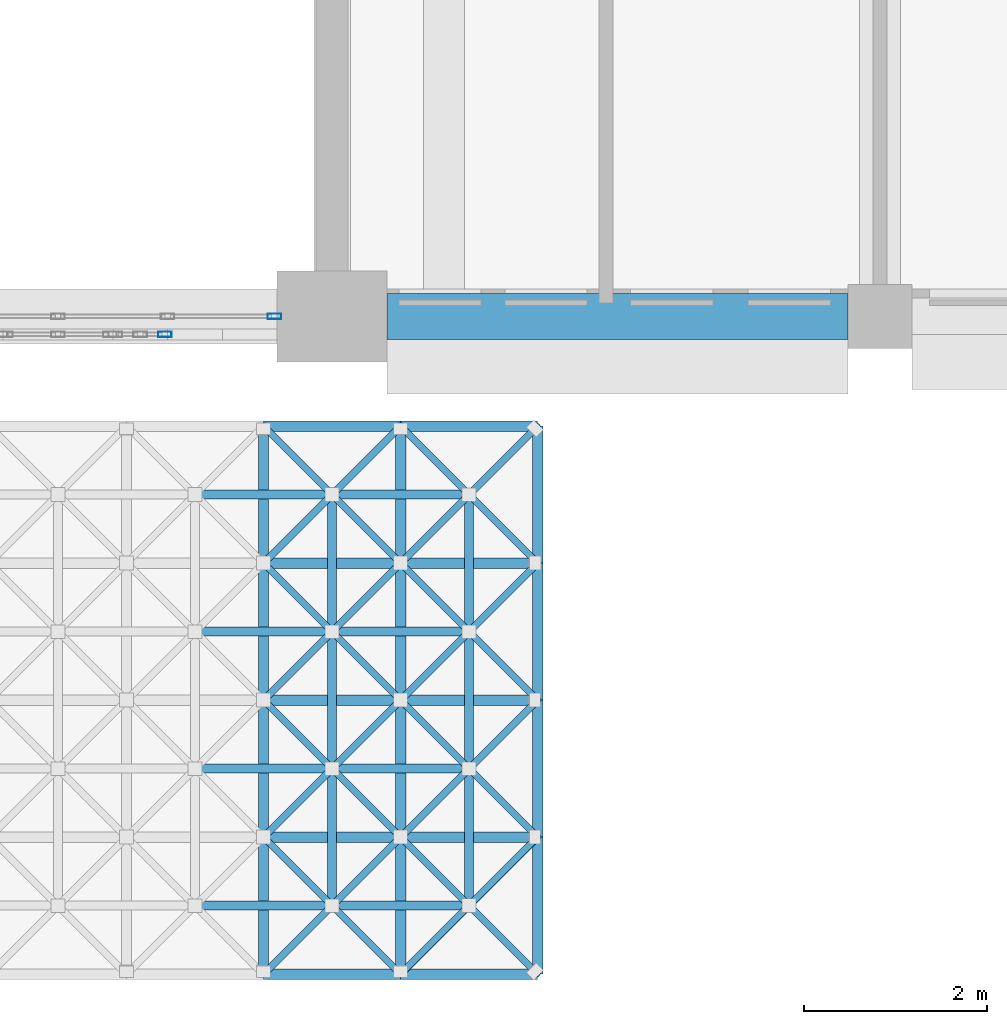
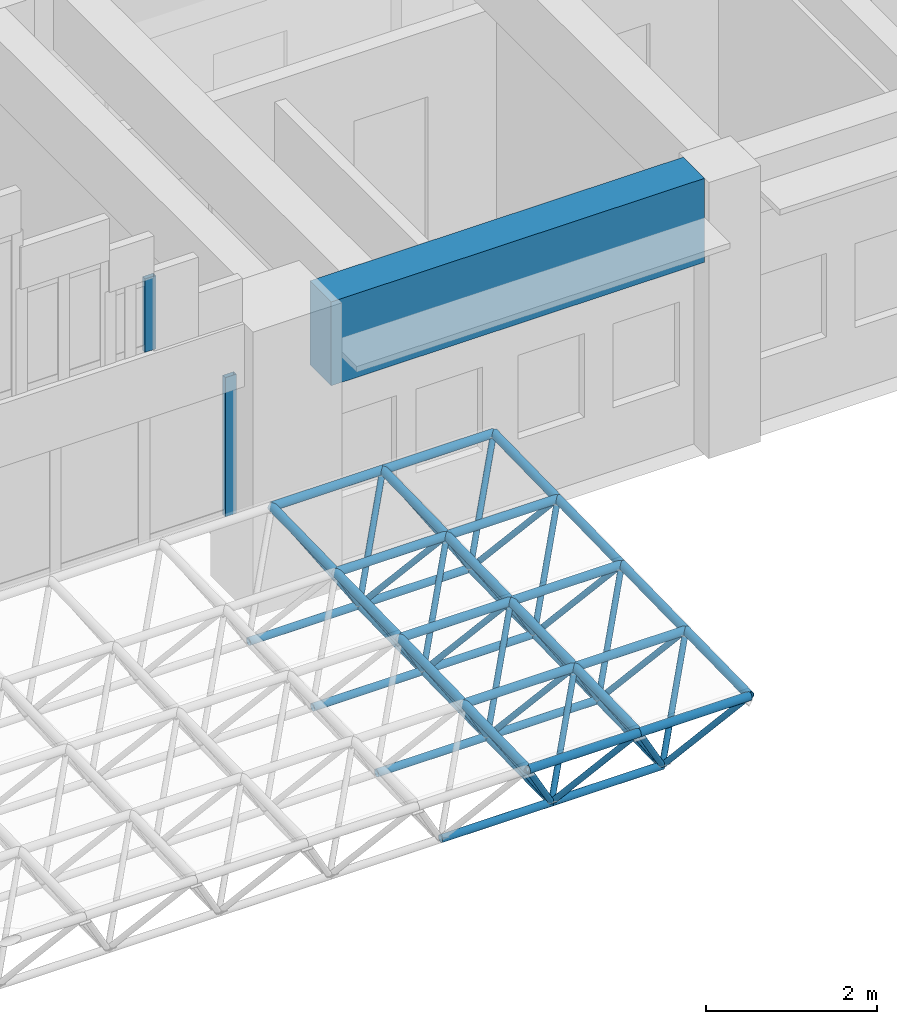
# One storey, part 19 of 103: 70 members, 1 beam, 2 elements without a shape of their own.
"""IFC4 building model written with IfcOpenShell, lengths in metres."""

import ifcopenshell
import ifcopenshell.guid

model = None  # the IFC model being written
_history = None  # IfcOwnerHistory: only IFC2X3 demands one
_inside = {}  # id of a spatial element -> (the spatial element, [elements in it])
_under = {}  # id of a project, library or spatial element -> (it, [spatial elements below it])
_declared = {}  # id of a project -> (the project, [libraries it declares])
_typed = {}  # id of a type object -> (the type object, [elements of that type])
_made_of = {}  # id of a material, layer set ... -> (it, [elements and type objects made of it])


def new_model(schema):
    """Start an empty IFC model of exactly this schema.

    Asked for "IFC4X3", IfcOpenShell would pick the latest addendum, in which some entities
    have other attributes; the version numbers below select the first issue.
    IFC2X3 requires an IfcOwnerHistory on every rooted entity: one is made here for all.
    """
    global model, _history
    if schema == "IFC4X3":
        model = ifcopenshell.file(schema_version=(4, 3, 0, 0))
    else:
        model = ifcopenshell.file(schema=schema)
    _inside.clear()
    _under.clear()
    _declared.clear()
    _typed.clear()
    _made_of.clear()
    _history = None
    if model.schema == "IFC2X3":
        org = make("IfcOrganization", Name="unknown")
        user = make(
            "IfcPersonAndOrganization",
            ThePerson=make("IfcPerson", FamilyName="unknown"),
            TheOrganization=org,
        )
        app = make(
            "IfcApplication",
            ApplicationDeveloper=org,
            Version="unknown",
            ApplicationFullName="unknown",
            ApplicationIdentifier="unknown",
        )
        _history = make(
            "IfcOwnerHistory",
            OwningUser=user,
            OwningApplication=app,
            ChangeAction="ADDED",
            CreationDate=0,
        )
    return model


def make(cls, **values):
    """One entity of the class cls with the attributes given. An attribute that is None is left unset."""
    return model.create_entity(
        cls, **{name: value for name, value in values.items() if value is not None}
    )


def rooted(cls, **values):
    """An entity with a GlobalId (a new one), such as an element, a storey or a relation."""
    return make(cls, GlobalId=ifcopenshell.guid.new(), OwnerHistory=_history, **values)


def si_unit(unit_type, name, prefix=None):
    """IfcSIUnit, for example si_unit("LENGTHUNIT", "METRE", prefix="MILLI")."""
    return make("IfcSIUnit", UnitType=unit_type, Prefix=prefix, Name=name)


def assignment(units):
    """IfcUnitAssignment: the units of a project."""
    return None if units is None else make("IfcUnitAssignment", Units=units)


def point(xyz):
    """IfcCartesianPoint."""
    return None if xyz is None else make("IfcCartesianPoint", Coordinates=xyz)


def direction(xyz):
    """IfcDirection."""
    return None if xyz is None else make("IfcDirection", DirectionRatios=xyz)


def frame(location, z_axis=None, x_axis=None):
    """IfcAxis2Placement3D, a coordinate frame: its origin and axes. An axis left out is left unset."""
    return make(
        "IfcAxis2Placement3D",
        Location=point(location),
        Axis=direction(z_axis),
        RefDirection=direction(x_axis),
    )


def frame_2d(location, x_axis=None):
    """IfcAxis2Placement2D, a coordinate frame in the plane: its origin and x axis."""
    return make(
        "IfcAxis2Placement2D", Location=point(location), RefDirection=direction(x_axis)
    )


def origin():
    """The frame at (0, 0, 0) with its axes left unset."""
    return frame((0.0, 0.0, 0.0))


def origin_2d():
    """The frame at (0, 0) in the plane with its x axis left unset."""
    return frame_2d((0.0, 0.0))


def place(relative_to, where):
    """IfcLocalPlacement: puts the frame where relative to a parent placement (None: the world)."""
    return make(
        "IfcLocalPlacement", PlacementRelTo=relative_to, RelativePlacement=where
    )


def context(
    kind, dimensions, precision=None, world=None, true_north=None, identifier=None
):
    """IfcGeometricRepresentationContext, for example the 3D "Model" context."""
    return make(
        "IfcGeometricRepresentationContext",
        ContextIdentifier=identifier,
        ContextType=kind,
        CoordinateSpaceDimension=dimensions,
        Precision=precision,
        WorldCoordinateSystem=world,
        TrueNorth=true_north,
    )


def subcontext(parent, identifier, kind, view, scale=None):
    """IfcGeometricRepresentationSubContext, for example "Body" below "Model"."""
    return make(
        "IfcGeometricRepresentationSubContext",
        ContextIdentifier=identifier,
        ContextType=kind,
        ParentContext=parent,
        TargetScale=scale,
        TargetView=view,
    )


def project(units=None, contexts=None):
    """IfcProject with its units and contexts."""
    return rooted(
        "IfcProject",
        Name="project",
        RepresentationContexts=contexts,
        UnitsInContext=assignment(units),
    )


def spatial(cls, under=None, at=None, **own):
    """A site, building, storey or space (cls), placed at a placement, below another one or the project."""
    s = rooted(cls, ObjectPlacement=at, **own)
    if under is not None:
        _under.setdefault(under.id(), (under, []))[1].append(s)
    return s


def profile(cls, at=None, kind="AREA", **sizes):
    """A parametric profile (cls). Its sizes go by their IFC names, for example OverallWidth=200.0."""
    return make(cls, ProfileType=kind, Position=at, **sizes)


def rectangle(**sizes):
    """IfcRectangleProfileDef."""
    return profile("IfcRectangleProfileDef", **sizes)


def hollow_rectangle(**sizes):
    """IfcRectangleHollowProfileDef."""
    return profile("IfcRectangleHollowProfileDef", **sizes)


def hollow_circle(**sizes):
    """IfcCircleHollowProfileDef."""
    return profile("IfcCircleHollowProfileDef", **sizes)


def extrude(swept, where, along, depth):
    """IfcExtrudedAreaSolid: the profile swept, set in the frame where, extruded along a direction by depth."""
    return make(
        "IfcExtrudedAreaSolid",
        SweptArea=swept,
        Position=where,
        ExtrudedDirection=direction(along),
        Depth=depth,
    )


def shape(context_of_items, identifier, shape_type, items):
    """IfcShapeRepresentation: the items that make up one representation, for example the "Body"."""
    return make(
        "IfcShapeRepresentation",
        ContextOfItems=context_of_items,
        RepresentationIdentifier=identifier,
        RepresentationType=shape_type,
        Items=items,
    )


def material(Name=None, Category=None):
    """IfcMaterial."""
    return make("IfcMaterial", Name=Name, Category=Category)


def material_profile(
    of_material, cross_section, Name=None, Category=None, Priority=None
):
    """IfcMaterialProfile: a cross section and its material."""
    return make(
        "IfcMaterialProfile",
        Name=Name,
        Material=of_material,
        Profile=cross_section,
        Priority=Priority,
        Category=Category,
    )


def profile_set(profiles, Name=None, composite=None):
    """IfcMaterialProfileSet."""
    return make(
        "IfcMaterialProfileSet",
        Name=Name,
        MaterialProfiles=profiles,
        CompositeProfile=composite,
    )


def made_of(thing, what):
    """Note that an element or type object is made of a material, layer set ...; save() writes the relation."""
    if what is not None:
        _made_of.setdefault(what.id(), (what, []))[1].append(thing)
    return thing


def type_object(cls, material=None, **own):
    """A type object (cls), such as IfcWallType, which elements share."""
    return made_of(rooted(cls, **own), material)


def element(
    cls,
    number,
    at=None,
    inside=None,
    cuts=None,
    type_object=None,
    material=None,
    context=None,
    identifier="Body",
    shape_type=None,
    held_by="IfcProductDefinitionShape",
    body=None,
    shapes=None,
    **own,
):
    """One element of the class cls, such as IfcWall. Its Tag is "e" and its number.

    at: its placement. inside: the storey or other place that contains it. cuts: it is an
    opening in that element (IfcRelVoidsElement). A single representation is given by context,
    identifier, shape_type and body (its items); several are given by shapes. held_by: the class
    of the entity that holds the representations. save() writes the other relations.
    """
    e = rooted(cls, Tag="e%d" % number, ObjectPlacement=at, **own)
    if body is not None:
        shapes = [shape(context, identifier, shape_type, body)]
    if shapes is not None:
        e.Representation = make(held_by, Representations=shapes)
    if inside is not None:
        _inside.setdefault(inside.id(), (inside, []))[1].append(e)
    if cuts is not None:
        rooted(
            "IfcRelVoidsElement", RelatingBuildingElement=cuts, RelatedOpeningElement=e
        )
    if type_object is not None:
        _typed.setdefault(type_object.id(), (type_object, []))[1].append(e)
    return made_of(e, material)


def aggregate(whole, parts):
    """IfcRelAggregates: a whole, such as a stair, and the parts it consists of."""
    return rooted("IfcRelAggregates", RelatingObject=whole, RelatedObjects=parts)


def save(model, path):
    """Write the relations noted so far, then the file.

    IfcRelAggregates (storeys below a building ...), IfcRelContainedInSpatialStructure (elements
    in a storey), IfcRelDefinesByType, IfcRelAssociatesMaterial and IfcRelDeclares: one each for
    every whole, place, type object, material and project.
    """
    for whole, parts in _under.values():
        aggregate(whole, parts)
    for where, things in _inside.values():
        rooted(
            "IfcRelContainedInSpatialStructure",
            RelatedElements=things,
            RelatingStructure=where,
        )
    for kind, things in _typed.values():
        rooted("IfcRelDefinesByType", RelatedObjects=things, RelatingType=kind)
    for what, things in _made_of.values():
        rooted("IfcRelAssociatesMaterial", RelatedObjects=things, RelatingMaterial=what)
    for by, libraries in _declared.values():
        rooted("IfcRelDeclares", RelatingContext=by, RelatedDefinitions=libraries)
    model.write(path)


model = new_model("IFC4")

# Units and contexts
model_context = context("Model", 3, precision=1e-05, world=origin(), true_north=direction((0.0, 1.0)))
body_context = subcontext(model_context, "Body", "Model", "MODEL_VIEW")
ifc_project = project(units=[si_unit("LENGTHUNIT", "METRE"), si_unit("AREAUNIT", "SQUARE_METRE"), si_unit("VOLUMEUNIT", "CUBIC_METRE"), si_unit("PLANEANGLEUNIT", "RADIAN"), si_unit("MASSUNIT", "GRAM", prefix="KILO")], contexts=[model_context])

# Site, building, storey
site_placement = place(None, origin())
site = spatial("IfcSite", under=ifc_project, at=site_placement, CompositionType="ELEMENT")
building_placement = place(site_placement, origin())
building = spatial("IfcBuilding", under=site, at=building_placement, Name="Laocheng Heights Fire and Rescue Headquarters", CompositionType="ELEMENT")
storey_placement = place(building_placement, frame((0.0, 0.0, 4.199951171875)))
storey = spatial("IfcBuildingStorey", under=building, at=storey_placement, Name="L01", CompositionType="ELEMENT", Elevation=4.199951171875)

# Curtain wall, member
ifc_material_1 = material(Name="Aluminium gable glazing, low-e double glazing", Category="aluminium")
curtain_wall_type_1 = type_object("IfcCurtainWallType", Name="GABLE SPANDREL GLAZED UNIT 4800 x 1990", PredefinedType="NOTDEFINED", material=ifc_material_1)
curtain_wall_1_placement = place(storey_placement, origin())
curtain_wall_1 = element("IfcCurtainWall", 1, at=curtain_wall_1_placement, inside=storey, type_object=curtain_wall_type_1, Name="Gable spandrel glazing S6", PredefinedType="NOTDEFINED")
ifc_material_2 = material(Name="Aluminium 6063-T5 extrusion", Category="aluminium")
ifc_material_profile_1 = material_profile(ifc_material_2, hollow_rectangle(XDim=0.06005859375, YDim=0.14990234375, WallThickness=0.0029296875, at=origin_2d()), Name="AL MULLION 150x60x3")
ifc_profile_set_1 = profile_set([ifc_material_profile_1], Name="Aluminium 6063-T5 extrusion")
member_type_1 = type_object("IfcMemberType", Name="AL GABLE MULLION 150x60x3", PredefinedType="MULLION", material=ifc_profile_set_1)
member_1_placement = place(storey_placement, frame((53.3701171875, 0.0, 1.199951171875), z_axis=(0.0, 0.0, 1.0), x_axis=(0.0, 1.0, 0.0)))
member_1 = element("IfcMember", 2, at=member_1_placement, type_object=member_type_1, Name="X1-D mullion 5", PredefinedType="MULLION", context=body_context, shape_type="SweptSolid", body=[
    extrude(hollow_rectangle(XDim=0.06005859375, YDim=0.14990234375, WallThickness=0.0029296875, at=origin_2d()), origin(), (0.0, 0.0, 1.0), 1.990478515625),
])
aggregate(curtain_wall_1, [member_1])

ifc_material_3 = material(Name="Aluminium gable glazing, low-e double glazing", Category="aluminium")
curtain_wall_type_2 = type_object("IfcCurtainWallType", Name="GABLE GLAZED UNIT 600 x 1049", PredefinedType="NOTDEFINED", material=ifc_material_3)
curtain_wall_2_placement = place(storey_placement, origin())
curtain_wall_2 = element("IfcCurtainWall", 3, at=curtain_wall_2_placement, inside=storey, type_object=curtain_wall_type_2, Name="Gable glazing S30", PredefinedType="NOTDEFINED")
member_2_placement = place(storey_placement, frame((52.169921875, -0.196533203125, 4.090576171875), z_axis=(0.0, 0.0, 1.0), x_axis=(0.0, 1.0, 0.0)))
member_2 = element("IfcMember", 4, at=member_2_placement, type_object=member_type_1, Name="X2-D mullion 3", PredefinedType="MULLION", context=body_context, shape_type="SweptSolid", body=[
    extrude(hollow_rectangle(XDim=0.06005859375, YDim=0.14990234375, WallThickness=0.0029296875, at=origin_2d()), origin(), (0.0, 0.0, 1.0), 1.048583984375),
])
aggregate(curtain_wall_2, [member_2])

# Members
ifc_material_4 = material(Name="Steel Q355B", Category="steel")
ifc_material_profile_2 = material_profile(ifc_material_4, hollow_circle(Radius=0.05078125, WallThickness=0.00390625, at=origin_2d()), Name="CHS 101.6x4")
ifc_profile_set_2 = profile_set([ifc_material_profile_2], Name="Steel Q355B")
member_type_2 = type_object("IfcMemberType", Name="APRON CANOPY BOTTOM CHORD CHS 101.6x4", PredefinedType="CHORD", material=ifc_profile_set_2)
for number, where, z_axis, x_axis, name in (
    (5, (52.5, -1.949951171875, 0.861083984375), (1.0, 0.0, 0.0), (0.0, 1.0, 0.0), "Apron canopy bottom chord AC-B021"),
    (6, (54.0, -1.949951171875, 0.861083984375), (1.0, 0.0, 0.0), (0.0, 1.0, 0.0), "Apron canopy bottom chord AC-B022"),
    (7, (52.5, -3.449951171875, 0.8310546875), (1.0, 0.0, 0.0), (0.0, 1.0, 0.0), "Apron canopy bottom chord AC-B043"),
    (8, (54.0, -3.449951171875, 0.8310546875), (1.0, 0.0, 0.0), (0.0, 1.0, 0.0), "Apron canopy bottom chord AC-B044"),
    (9, (52.5, -4.949951171875, 0.801025390625), (1.0, 0.0, 0.0), (0.0, 1.0, 0.0), "Apron canopy bottom chord AC-B065"),
    (10, (54.0, -4.949951171875, 0.801025390625), (1.0, 0.0, 0.0), (0.0, 1.0, 0.0), "Apron canopy bottom chord AC-B066"),
    (11, (52.5, -6.449951171875, 0.77099609375), (1.0, 0.0, 0.0), (0.0, 1.0, 0.0), "Apron canopy bottom chord AC-B087"),
    (12, (54.0, -6.449951171875, 0.77099609375), (1.0, 0.0, 0.0), (0.0, 1.0, 0.0), "Apron canopy bottom chord AC-B088"),
):
    element("IfcMember", number, at=place(storey_placement, frame(where, z_axis=z_axis, x_axis=x_axis)), inside=storey, type_object=member_type_2, Name=name, PredefinedType="CHORD", context=body_context, shape_type="SweptSolid", body=[
        extrude(hollow_circle(Radius=0.05078125, WallThickness=0.00390625, at=origin_2d()), origin(), (0.0, 0.0, 1.0), 1.5),
    ])
for number, where, z_axis, x_axis, name in (
    (13, (54.0, -1.949951171875, 0.861083984375), (0.0, -0.999799669399, -0.020015520725), (1.0, 0.0, 0.0), "Apron canopy bottom chord AC-B152"),
    (14, (54.0, -3.449951171875, 0.8310546875), (0.0, -0.999799669399, -0.020015520725), (1.0, 0.0, 0.0), "Apron canopy bottom chord AC-B153"),
    (15, (54.0, -4.949951171875, 0.801025390625), (0.0, -0.999799669399, -0.020015520725), (1.0, 0.0, 0.0), "Apron canopy bottom chord AC-B154"),
    (16, (55.5, -1.949951171875, 0.861083984375), (0.0, -0.999799669399, -0.020015520725), (1.0, 0.0, 0.0), "Apron canopy bottom chord AC-B155"),
    (17, (55.5, -3.449951171875, 0.8310546875), (0.0, -0.999799669399, -0.020015520725), (1.0, 0.0, 0.0), "Apron canopy bottom chord AC-B156"),
    (18, (55.5, -4.949951171875, 0.801025390625), (0.0, -0.999799669399, -0.020015520725), (1.0, 0.0, 0.0), "Apron canopy bottom chord AC-B157"),
):
    element("IfcMember", number, at=place(storey_placement, frame(where, z_axis=z_axis, x_axis=x_axis)), inside=storey, type_object=member_type_2, Name=name, PredefinedType="CHORD", context=body_context, shape_type="SweptSolid", body=[
        extrude(hollow_circle(Radius=0.05078125, WallThickness=0.00390625, at=origin_2d()), origin(), (0.0, 0.0, 1.0), 1.500244140625),
    ])
ifc_material_5 = material(Name="Steel Q355B", Category="steel")
ifc_material_profile_3 = material_profile(ifc_material_5, hollow_circle(Radius=0.05712890625, WallThickness=0.0048828125, at=origin_2d()), Name="CHS 114.3x5")
ifc_profile_set_3 = profile_set([ifc_material_profile_3], Name="Steel Q355B")
member_type_3 = type_object("IfcMemberType", Name="APRON CANOPY TOP CHORD CHS 114.3x5", PredefinedType="CHORD", material=ifc_profile_set_3)
for number, where, z_axis, x_axis, name in (
    (19, (53.25, -1.199951171875, 2.075927734375), (1.0, 0.0, 0.0), (0.0, 1.0, 0.0), "Apron canopy top chord AC-T022"),
    (20, (54.75, -1.199951171875, 2.075927734375), (1.0, 0.0, 0.0), (0.0, 1.0, 0.0), "Apron canopy top chord AC-T023"),
    (21, (53.25, -2.699951171875, 2.046142578125), (1.0, 0.0, 0.0), (0.0, 1.0, 0.0), "Apron canopy top chord AC-T045"),
    (22, (54.75, -2.699951171875, 2.046142578125), (1.0, 0.0, 0.0), (0.0, 1.0, 0.0), "Apron canopy top chord AC-T046"),
    (23, (53.25, -4.199951171875, 2.01611328125), (1.0, 0.0, 0.0), (0.0, 1.0, 0.0), "Apron canopy top chord AC-T068"),
    (24, (54.75, -4.199951171875, 2.01611328125), (1.0, 0.0, 0.0), (0.0, 1.0, 0.0), "Apron canopy top chord AC-T069"),
    (25, (53.25, -5.699951171875, 1.986083984375), (1.0, 0.0, 0.0), (0.0, 1.0, 0.0), "Apron canopy top chord AC-T091"),
    (26, (54.75, -5.699951171875, 1.986083984375), (1.0, 0.0, 0.0), (0.0, 1.0, 0.0), "Apron canopy top chord AC-T092"),
    (27, (53.25, -7.199951171875, 1.9560546875), (1.0, 0.0, 0.0), (0.0, 1.0, 0.0), "Apron canopy top chord AC-T114"),
    (28, (54.75, -7.199951171875, 1.9560546875), (1.0, 0.0, 0.0), (0.0, 1.0, 0.0), "Apron canopy top chord AC-T115"),
):
    element("IfcMember", number, at=place(storey_placement, frame(where, z_axis=z_axis, x_axis=x_axis)), inside=storey, type_object=member_type_3, Name=name, PredefinedType="CHORD", context=body_context, shape_type="SweptSolid", body=[
        extrude(hollow_circle(Radius=0.05712890625, WallThickness=0.0048828125, at=origin_2d()), origin(), (0.0, 0.0, 1.0), 1.5),
    ])
for number, where, z_axis, x_axis, name in (
    (29, (53.25, -1.199951171875, 2.075927734375), (0.0, -0.999802912607, -0.019852857314), (1.0, 0.0, 0.0), "Apron canopy top chord AC-T200"),
    (30, (53.25, -2.699951171875, 2.046142578125), (0.0, -0.999799669399, -0.020015520725), (1.0, 0.0, 0.0), "Apron canopy top chord AC-T201"),
    (31, (53.25, -4.199951171875, 2.01611328125), (0.0, -0.999799669399, -0.020015520725), (1.0, 0.0, 0.0), "Apron canopy top chord AC-T202"),
    (32, (53.25, -5.699951171875, 1.986083984375), (0.0, -0.999799669399, -0.020015520725), (1.0, 0.0, 0.0), "Apron canopy top chord AC-T203"),
    (33, (54.75, -1.199951171875, 2.075927734375), (0.0, -0.999802912607, -0.019852857314), (1.0, 0.0, 0.0), "Apron canopy top chord AC-T204"),
    (34, (54.75, -2.699951171875, 2.046142578125), (0.0, -0.999799669399, -0.020015520725), (1.0, 0.0, 0.0), "Apron canopy top chord AC-T205"),
    (35, (54.75, -4.199951171875, 2.01611328125), (0.0, -0.999799669399, -0.020015520725), (1.0, 0.0, 0.0), "Apron canopy top chord AC-T206"),
    (36, (54.75, -5.699951171875, 1.986083984375), (0.0, -0.999799669399, -0.020015520725), (1.0, 0.0, 0.0), "Apron canopy top chord AC-T207"),
    (37, (56.25, -1.199951171875, 2.075927734375), (0.0, -0.999802912607, -0.019852857314), (1.0, 0.0, 0.0), "Apron canopy top chord AC-T208"),
    (38, (56.25, -2.699951171875, 2.046142578125), (0.0, -0.999799669399, -0.020015520725), (1.0, 0.0, 0.0), "Apron canopy top chord AC-T209"),
    (39, (56.25, -4.199951171875, 2.01611328125), (0.0, -0.999799669399, -0.020015520725), (1.0, 0.0, 0.0), "Apron canopy top chord AC-T210"),
    (40, (56.25, -5.699951171875, 1.986083984375), (0.0, -0.999799669399, -0.020015520725), (1.0, 0.0, 0.0), "Apron canopy top chord AC-T211"),
):
    element("IfcMember", number, at=place(storey_placement, frame(where, z_axis=z_axis, x_axis=x_axis)), inside=storey, type_object=member_type_3, Name=name, PredefinedType="CHORD", context=body_context, shape_type="SweptSolid", body=[
        extrude(hollow_circle(Radius=0.05712890625, WallThickness=0.0048828125, at=origin_2d()), origin(), (0.0, 0.0, 1.0), 1.500244140625),
    ])
ifc_material_6 = material(Name="Steel Q355B", Category="steel")
ifc_material_profile_4 = material_profile(ifc_material_6, hollow_circle(Radius=0.0380859375, WallThickness=0.00390625, at=origin_2d()), Name="CHS 76.1x4")
ifc_profile_set_4 = profile_set([ifc_material_profile_4], Name="Steel Q355B")
member_type_4 = type_object("IfcMemberType", Name="APRON CANOPY WEB CHS 76.1x4", PredefinedType="BRACE", material=ifc_profile_set_4)
for number, where, z_axis, x_axis, name in (
    (41, (54.0, -1.949951171875, 0.861083984375), (-0.46505465934, 0.46505465934, 0.753291661743), (-0.707106781187, -0.707106781187, 0.0), "Apron canopy web AC-W085"),
    (42, (54.0, -1.949951171875, 0.861083984375), (0.46505465934, 0.46505465934, 0.753291661743), (-0.707106781187, 0.707106781187, 0.0), "Apron canopy web AC-W086"),
):
    element("IfcMember", number, at=place(storey_placement, frame(where, z_axis=z_axis, x_axis=x_axis)), inside=storey, type_object=member_type_4, Name=name, PredefinedType="BRACE", context=body_context, shape_type="SweptSolid", body=[
        extrude(hollow_circle(Radius=0.0380859375, WallThickness=0.00390625, at=origin_2d()), origin(), (0.0, 0.0, 1.0), 1.61279296875),
    ])
for number, where, z_axis, x_axis, name in (
    (43, (54.0, -1.949951171875, 0.861083984375), (-0.471580249604, -0.471580249604, 0.745133636582), (0.707106781187, -0.707106781187, 0.0), "Apron canopy web AC-W087"),
    (44, (54.0, -1.949951171875, 0.861083984375), (0.471580249604, -0.471580249604, 0.745133636582), (0.707106781187, 0.707106781187, 0.0), "Apron canopy web AC-W088"),
):
    element("IfcMember", number, at=place(storey_placement, frame(where, z_axis=z_axis, x_axis=x_axis)), inside=storey, type_object=member_type_4, Name=name, PredefinedType="BRACE", context=body_context, shape_type="SweptSolid", body=[
        extrude(hollow_circle(Radius=0.0380859375, WallThickness=0.00390625, at=origin_2d()), origin(), (0.0, 0.0, 1.0), 1.59033203125),
    ])
for number, where, z_axis, x_axis, name in (
    (45, (55.5, -1.949951171875, 0.861083984375), (-0.46505465934, 0.46505465934, 0.753291661743), (-0.707106781187, -0.707106781187, 0.0), "Apron canopy web AC-W089"),
    (46, (55.5, -1.949951171875, 0.861083984375), (0.46505465934, 0.46505465934, 0.753291661743), (-0.707106781187, 0.707106781187, 0.0), "Apron canopy web AC-W090"),
):
    element("IfcMember", number, at=place(storey_placement, frame(where, z_axis=z_axis, x_axis=x_axis)), inside=storey, type_object=member_type_4, Name=name, PredefinedType="BRACE", context=body_context, shape_type="SweptSolid", body=[
        extrude(hollow_circle(Radius=0.0380859375, WallThickness=0.00390625, at=origin_2d()), origin(), (0.0, 0.0, 1.0), 1.61279296875),
    ])
for number, where, z_axis, x_axis, name in (
    (47, (55.5, -1.949951171875, 0.861083984375), (-0.471580249604, -0.471580249604, 0.745133636582), (0.707106781187, -0.707106781187, 0.0), "Apron canopy web AC-W091"),
    (48, (55.5, -1.949951171875, 0.861083984375), (0.471580249604, -0.471580249604, 0.745133636582), (0.707106781187, 0.707106781187, 0.0), "Apron canopy web AC-W092"),
):
    element("IfcMember", number, at=place(storey_placement, frame(where, z_axis=z_axis, x_axis=x_axis)), inside=storey, type_object=member_type_4, Name=name, PredefinedType="BRACE", context=body_context, shape_type="SweptSolid", body=[
        extrude(hollow_circle(Radius=0.0380859375, WallThickness=0.00390625, at=origin_2d()), origin(), (0.0, 0.0, 1.0), 1.59033203125),
    ])
for number, where, z_axis, x_axis, name in (
    (49, (54.0, -3.449951171875, 0.8310546875), (-0.465001629625, 0.465001629625, 0.75335713237), (-0.707106781187, -0.707106781187, 0.0), "Apron canopy web AC-W177"),
    (50, (54.0, -3.449951171875, 0.8310546875), (0.465001629625, 0.465001629625, 0.75335713237), (-0.707106781187, 0.707106781187, 0.0), "Apron canopy web AC-W178"),
):
    element("IfcMember", number, at=place(storey_placement, frame(where, z_axis=z_axis, x_axis=x_axis)), inside=storey, type_object=member_type_4, Name=name, PredefinedType="BRACE", context=body_context, shape_type="SweptSolid", body=[
        extrude(hollow_circle(Radius=0.0380859375, WallThickness=0.00390625, at=origin_2d()), origin(), (0.0, 0.0, 1.0), 1.61279296875),
    ])
for number, where, z_axis, x_axis, name in (
    (51, (54.0, -3.449951171875, 0.8310546875), (-0.471580249604, -0.471580249604, 0.745133636582), (0.707106781187, -0.707106781187, 0.0), "Apron canopy web AC-W179"),
    (52, (54.0, -3.449951171875, 0.8310546875), (0.471580249604, -0.471580249604, 0.745133636582), (0.707106781187, 0.707106781187, 0.0), "Apron canopy web AC-W180"),
):
    element("IfcMember", number, at=place(storey_placement, frame(where, z_axis=z_axis, x_axis=x_axis)), inside=storey, type_object=member_type_4, Name=name, PredefinedType="BRACE", context=body_context, shape_type="SweptSolid", body=[
        extrude(hollow_circle(Radius=0.0380859375, WallThickness=0.00390625, at=origin_2d()), origin(), (0.0, 0.0, 1.0), 1.59033203125),
    ])
for number, where, z_axis, x_axis, name in (
    (53, (55.5, -3.449951171875, 0.8310546875), (-0.465001629625, 0.465001629625, 0.75335713237), (-0.707106781187, -0.707106781187, 0.0), "Apron canopy web AC-W181"),
    (54, (55.5, -3.449951171875, 0.8310546875), (0.465001629625, 0.465001629625, 0.75335713237), (-0.707106781187, 0.707106781187, 0.0), "Apron canopy web AC-W182"),
):
    element("IfcMember", number, at=place(storey_placement, frame(where, z_axis=z_axis, x_axis=x_axis)), inside=storey, type_object=member_type_4, Name=name, PredefinedType="BRACE", context=body_context, shape_type="SweptSolid", body=[
        extrude(hollow_circle(Radius=0.0380859375, WallThickness=0.00390625, at=origin_2d()), origin(), (0.0, 0.0, 1.0), 1.61279296875),
    ])
for number, where, z_axis, x_axis, name in (
    (55, (55.5, -3.449951171875, 0.8310546875), (-0.471580249604, -0.471580249604, 0.745133636582), (0.707106781187, -0.707106781187, 0.0), "Apron canopy web AC-W183"),
    (56, (55.5, -3.449951171875, 0.8310546875), (0.471580249604, -0.471580249604, 0.745133636582), (0.707106781187, 0.707106781187, 0.0), "Apron canopy web AC-W184"),
):
    element("IfcMember", number, at=place(storey_placement, frame(where, z_axis=z_axis, x_axis=x_axis)), inside=storey, type_object=member_type_4, Name=name, PredefinedType="BRACE", context=body_context, shape_type="SweptSolid", body=[
        extrude(hollow_circle(Radius=0.0380859375, WallThickness=0.00390625, at=origin_2d()), origin(), (0.0, 0.0, 1.0), 1.59033203125),
    ])
for number, where, z_axis, x_axis, name in (
    (57, (54.0, -4.949951171875, 0.801025390625), (-0.465001629625, 0.465001629625, 0.75335713237), (-0.707106781187, -0.707106781187, 0.0), "Apron canopy web AC-W269"),
    (58, (54.0, -4.949951171875, 0.801025390625), (0.465001629625, 0.465001629625, 0.75335713237), (-0.707106781187, 0.707106781187, 0.0), "Apron canopy web AC-W270"),
):
    element("IfcMember", number, at=place(storey_placement, frame(where, z_axis=z_axis, x_axis=x_axis)), inside=storey, type_object=member_type_4, Name=name, PredefinedType="BRACE", context=body_context, shape_type="SweptSolid", body=[
        extrude(hollow_circle(Radius=0.0380859375, WallThickness=0.00390625, at=origin_2d()), origin(), (0.0, 0.0, 1.0), 1.61279296875),
    ])
for number, where, z_axis, x_axis, name in (
    (59, (54.0, -4.949951171875, 0.801025390625), (-0.471580249604, -0.471580249604, 0.745133636582), (0.707106781187, -0.707106781187, 0.0), "Apron canopy web AC-W271"),
    (60, (54.0, -4.949951171875, 0.801025390625), (0.471580249604, -0.471580249604, 0.745133636582), (0.707106781187, 0.707106781187, 0.0), "Apron canopy web AC-W272"),
):
    element("IfcMember", number, at=place(storey_placement, frame(where, z_axis=z_axis, x_axis=x_axis)), inside=storey, type_object=member_type_4, Name=name, PredefinedType="BRACE", context=body_context, shape_type="SweptSolid", body=[
        extrude(hollow_circle(Radius=0.0380859375, WallThickness=0.00390625, at=origin_2d()), origin(), (0.0, 0.0, 1.0), 1.59033203125),
    ])
for number, where, z_axis, x_axis, name in (
    (61, (55.5, -4.949951171875, 0.801025390625), (-0.465001629625, 0.465001629625, 0.75335713237), (-0.707106781187, -0.707106781187, 0.0), "Apron canopy web AC-W273"),
    (62, (55.5, -4.949951171875, 0.801025390625), (0.465001629625, 0.465001629625, 0.75335713237), (-0.707106781187, 0.707106781187, 0.0), "Apron canopy web AC-W274"),
):
    element("IfcMember", number, at=place(storey_placement, frame(where, z_axis=z_axis, x_axis=x_axis)), inside=storey, type_object=member_type_4, Name=name, PredefinedType="BRACE", context=body_context, shape_type="SweptSolid", body=[
        extrude(hollow_circle(Radius=0.0380859375, WallThickness=0.00390625, at=origin_2d()), origin(), (0.0, 0.0, 1.0), 1.61279296875),
    ])
for number, where, z_axis, x_axis, name in (
    (63, (55.5, -4.949951171875, 0.801025390625), (-0.471580249604, -0.471580249604, 0.745133636582), (0.707106781187, -0.707106781187, 0.0), "Apron canopy web AC-W275"),
    (64, (55.5, -4.949951171875, 0.801025390625), (0.471580249604, -0.471580249604, 0.745133636582), (0.707106781187, 0.707106781187, 0.0), "Apron canopy web AC-W276"),
):
    element("IfcMember", number, at=place(storey_placement, frame(where, z_axis=z_axis, x_axis=x_axis)), inside=storey, type_object=member_type_4, Name=name, PredefinedType="BRACE", context=body_context, shape_type="SweptSolid", body=[
        extrude(hollow_circle(Radius=0.0380859375, WallThickness=0.00390625, at=origin_2d()), origin(), (0.0, 0.0, 1.0), 1.59033203125),
    ])
for number, where, z_axis, x_axis, name in (
    (65, (54.0, -6.449951171875, 0.77099609375), (-0.465001629625, 0.465001629625, 0.75335713237), (-0.707106781187, -0.707106781187, 0.0), "Apron canopy web AC-W361"),
    (66, (54.0, -6.449951171875, 0.77099609375), (0.465001629625, 0.465001629625, 0.75335713237), (-0.707106781187, 0.707106781187, 0.0), "Apron canopy web AC-W362"),
):
    element("IfcMember", number, at=place(storey_placement, frame(where, z_axis=z_axis, x_axis=x_axis)), inside=storey, type_object=member_type_4, Name=name, PredefinedType="BRACE", context=body_context, shape_type="SweptSolid", body=[
        extrude(hollow_circle(Radius=0.0380859375, WallThickness=0.00390625, at=origin_2d()), origin(), (0.0, 0.0, 1.0), 1.61279296875),
    ])
for number, where, z_axis, x_axis, name in (
    (67, (54.0, -6.449951171875, 0.77099609375), (-0.471580249604, -0.471580249604, 0.745133636582), (0.707106781187, -0.707106781187, 0.0), "Apron canopy web AC-W363"),
    (68, (54.0, -6.449951171875, 0.77099609375), (0.471580249604, -0.471580249604, 0.745133636582), (0.707106781187, 0.707106781187, 0.0), "Apron canopy web AC-W364"),
):
    element("IfcMember", number, at=place(storey_placement, frame(where, z_axis=z_axis, x_axis=x_axis)), inside=storey, type_object=member_type_4, Name=name, PredefinedType="BRACE", context=body_context, shape_type="SweptSolid", body=[
        extrude(hollow_circle(Radius=0.0380859375, WallThickness=0.00390625, at=origin_2d()), origin(), (0.0, 0.0, 1.0), 1.59033203125),
    ])
for number, where, z_axis, x_axis, name in (
    (69, (55.5, -6.449951171875, 0.77099609375), (-0.465001629625, 0.465001629625, 0.75335713237), (-0.707106781187, -0.707106781187, 0.0), "Apron canopy web AC-W365"),
    (70, (55.5, -6.449951171875, 0.77099609375), (0.465001629625, 0.465001629625, 0.75335713237), (-0.707106781187, 0.707106781187, 0.0), "Apron canopy web AC-W366"),
):
    element("IfcMember", number, at=place(storey_placement, frame(where, z_axis=z_axis, x_axis=x_axis)), inside=storey, type_object=member_type_4, Name=name, PredefinedType="BRACE", context=body_context, shape_type="SweptSolid", body=[
        extrude(hollow_circle(Radius=0.0380859375, WallThickness=0.00390625, at=origin_2d()), origin(), (0.0, 0.0, 1.0), 1.61279296875),
    ])
for number, where, z_axis, x_axis, name in (
    (71, (55.5, -6.449951171875, 0.77099609375), (-0.471580249604, -0.471580249604, 0.745133636582), (0.707106781187, -0.707106781187, 0.0), "Apron canopy web AC-W367"),
    (72, (55.5, -6.449951171875, 0.77099609375), (0.471580249604, -0.471580249604, 0.745133636582), (0.707106781187, 0.707106781187, 0.0), "Apron canopy web AC-W368"),
):
    element("IfcMember", number, at=place(storey_placement, frame(where, z_axis=z_axis, x_axis=x_axis)), inside=storey, type_object=member_type_4, Name=name, PredefinedType="BRACE", context=body_context, shape_type="SweptSolid", body=[
        extrude(hollow_circle(Radius=0.0380859375, WallThickness=0.00390625, at=origin_2d()), origin(), (0.0, 0.0, 1.0), 1.59033203125),
    ])

# Beam
ifc_material_7 = material(Name="Concrete C50", Category="concrete")
ifc_material_profile_5 = material_profile(ifc_material_7, rectangle(XDim=0.5, YDim=1.199951171875, at=origin_2d()), Name="RC BEAM 500x1200 PAVILION TRANSFER")
ifc_profile_set_5 = profile_set([ifc_material_profile_5], Name="Concrete C50")
beam_type = type_object("IfcBeamType", Name="RC BEAM 500x1200 PAVILION TRANSFER", PredefinedType="BEAM", material=ifc_profile_set_5)
beam_placement = place(storey_placement, frame((54.60009765625, 0.0, 3.35009765625), z_axis=(1.0, 0.0, 0.0), x_axis=(0.0, 1.0, 0.0)))
element("IfcBeam", 73, at=beam_placement, inside=storey, type_object=beam_type, Name="Pavilion beam", PredefinedType="BEAM", context=body_context, shape_type="SweptSolid", body=[
    extrude(rectangle(XDim=0.5, YDim=1.199951171875, at=origin_2d()), origin(), (0.0, 0.0, 1.0), 5.0498046875),
])

save(model, "model.ifc")
